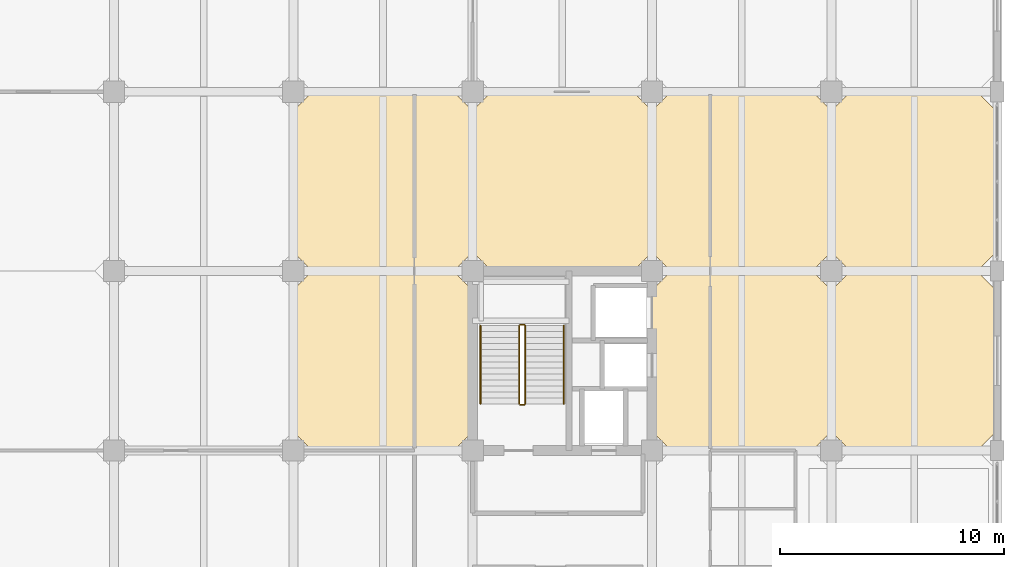
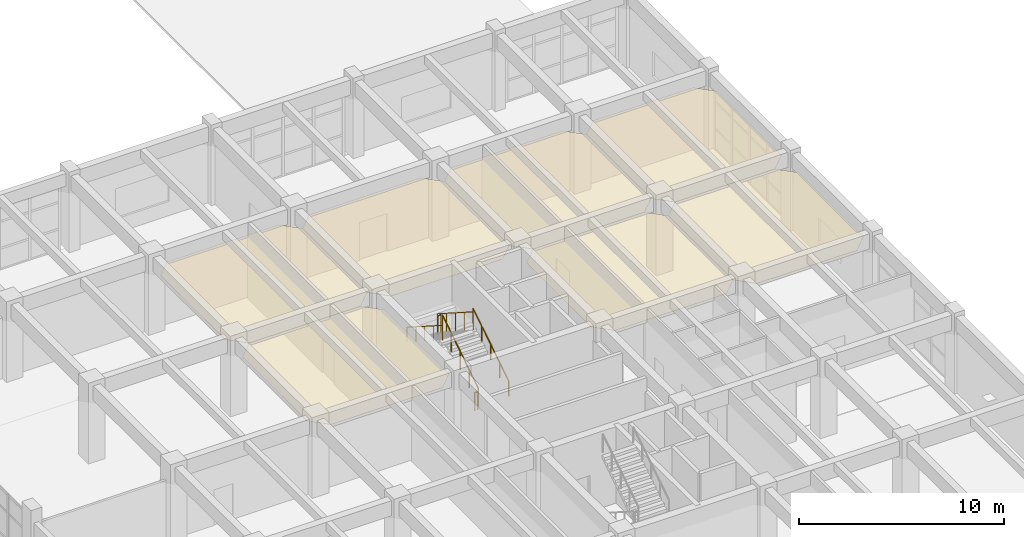
# One storey, part 62 of 63: 7 coverings, 6 railings.
"""IFC4 building model written with IfcOpenShell, lengths in metres."""

from ifc_helpers import new_model, si_unit, direction, frame, origin, origin_2d, place, context, subcontext, project, spatial, polyline, circle, outline, extrude, material, layer, layer_set, type_object, element, save


model = new_model("IFC4")

# Units and contexts
model_context = context("Model", 3, precision=1e-05, world=origin(), true_north=direction((0.0, 1.0)))
body_context = subcontext(model_context, "Body", "Model", "MODEL_VIEW")
ifc_project = project(units=[si_unit("LENGTHUNIT", "METRE"), si_unit("AREAUNIT", "SQUARE_METRE"), si_unit("VOLUMEUNIT", "CUBIC_METRE"), si_unit("PLANEANGLEUNIT", "RADIAN"), si_unit("MASSUNIT", "GRAM", prefix="KILO")], contexts=[model_context])

# Site, building, storey
site_placement = place(None, origin())
site = spatial("IfcSite", under=ifc_project, at=site_placement, CompositionType="ELEMENT")
building_placement = place(site_placement, origin())
building = spatial("IfcBuilding", under=site, at=building_placement, Name="Canggui Botanical Conservatory", CompositionType="ELEMENT")
storey_placement = place(building_placement, frame((0.0, 0.0, 10.199951171875)))
storey = spatial("IfcBuildingStorey", under=building, at=storey_placement, Name="L03", CompositionType="ELEMENT", Elevation=10.199951171875)

# Coverings
ifc_material_1 = material(Name="Mineral Fibre Acoustic Board")
ifc_layer_1 = layer(ifc_material_1, 0.014892578125, Name="Mineral Fibre Acoustic Board")
ifc_layer_set_1 = layer_set([ifc_layer_1], Name="Mineral Fibre Acoustic Board")
covering_type_1 = type_object("IfcCoveringType", Name="COV-CEIL-15", PredefinedType="CEILING", material=ifc_layer_set_1)
covering_1_placement = place(storey_placement, frame((0.0, 0.0, 3.635009765625)))
element("IfcCovering", 1, at=covering_1_placement, inside=storey, type_object=covering_type_1, Name="Suspended Acoustic Ceiling L03-146-58", PredefinedType="CEILING", context=body_context, shape_type="SweptSolid", body=[
    extrude(outline(polyline([(146.85009765625, 58.0), (153.14990234375, 58.0), (154.0, 58.85009765625), (154.0, 65.14990234375), (153.14990234375, 66.0), (146.85009765625, 66.0), (146.0, 65.14990234375), (146.0, 58.85009765625), (146.85009765625, 58.0)])), origin(), (0.0, 0.0, 1.0), 0.01513671875),
])
covering_2_placement = place(storey_placement, frame((0.0, 0.0, 3.635009765625)))
element("IfcCovering", 2, at=covering_2_placement, inside=storey, type_object=covering_type_1, Name="Suspended Acoustic Ceiling L03-154-66", PredefinedType="CEILING", context=body_context, shape_type="SweptSolid", body=[
    extrude(outline(polyline([(154.85009765625, 66.0), (161.14990234375, 66.0), (162.0, 66.85009765625), (162.0, 73.14990234375), (161.14990234375, 74.0), (154.85009765625, 74.0), (154.0, 73.14990234375), (154.0, 66.85009765625), (154.85009765625, 66.0)])), origin(), (0.0, 0.0, 1.0), 0.01513671875),
])
covering_3_placement = place(storey_placement, frame((0.0, 0.0, 3.635009765625)))
element("IfcCovering", 3, at=covering_3_placement, inside=storey, type_object=covering_type_1, Name="Suspended Acoustic Ceiling L03-162-58", PredefinedType="CEILING", context=body_context, shape_type="SweptSolid", body=[
    extrude(outline(polyline([(162.85009765625, 58.0), (169.14990234375, 58.0), (170.0, 58.85009765625), (170.0, 65.14990234375), (169.14990234375, 66.0), (162.85009765625, 66.0), (162.0, 65.14990234375), (162.0, 58.85009765625), (162.85009765625, 58.0)])), origin(), (0.0, 0.0, 1.0), 0.01513671875),
])
covering_4_placement = place(storey_placement, frame((0.0, 0.0, 3.635009765625)))
element("IfcCovering", 4, at=covering_4_placement, inside=storey, type_object=covering_type_1, Name="Suspended Acoustic Ceiling L03-170-66", PredefinedType="CEILING", context=body_context, shape_type="SweptSolid", body=[
    extrude(outline(polyline([(170.85009765625, 66.0), (176.5, 66.0), (177.35009765625, 66.85009765625), (177.35009765625, 73.14990234375), (176.5, 74.0), (170.85009765625, 74.0), (170.0, 73.14990234375), (170.0, 66.85009765625), (170.85009765625, 66.0)])), origin(), (0.0, 0.0, 1.0), 0.01513671875),
])
ifc_material_2 = material(Name="Perforated Gypsum Acoustic Panel")
ifc_layer_2 = layer(ifc_material_2, 0.02001953125, Name="Perforated Gypsum Acoustic Panel")
ifc_layer_set_2 = layer_set([ifc_layer_2], Name="Perforated Gypsum Acoustic Panel")
covering_type_2 = type_object("IfcCoveringType", Name="COV-CEIL-20", PredefinedType="CEILING", material=ifc_layer_set_2)
covering_5_placement = place(storey_placement, frame((0.0, 0.0, 3.630126953125)))
element("IfcCovering", 5, at=covering_5_placement, inside=storey, type_object=covering_type_2, Name="Suspended Acoustic Ceiling L03-146-66", PredefinedType="CEILING", context=body_context, shape_type="SweptSolid", body=[
    extrude(outline(polyline([(146.85009765625, 66.0), (153.14990234375, 66.0), (154.0, 66.85009765625), (154.0, 73.14990234375), (153.14990234375, 74.0), (146.85009765625, 74.0), (146.0, 73.14990234375), (146.0, 66.85009765625), (146.85009765625, 66.0)])), origin(), (0.0, 0.0, 1.0), 0.02001953125),
])
covering_6_placement = place(storey_placement, frame((0.0, 0.0, 3.630126953125)))
element("IfcCovering", 6, at=covering_6_placement, inside=storey, type_object=covering_type_2, Name="Suspended Acoustic Ceiling L03-162-66", PredefinedType="CEILING", context=body_context, shape_type="SweptSolid", body=[
    extrude(outline(polyline([(162.85009765625, 66.0), (169.14990234375, 66.0), (170.0, 66.85009765625), (170.0, 73.14990234375), (169.14990234375, 74.0), (162.85009765625, 74.0), (162.0, 73.14990234375), (162.0, 66.85009765625), (162.85009765625, 66.0)])), origin(), (0.0, 0.0, 1.0), 0.02001953125),
])
covering_7_placement = place(storey_placement, frame((0.0, 0.0, 3.630126953125)))
element("IfcCovering", 7, at=covering_7_placement, inside=storey, type_object=covering_type_2, Name="Suspended Acoustic Ceiling L03-170-58", PredefinedType="CEILING", context=body_context, shape_type="SweptSolid", body=[
    extrude(outline(polyline([(170.85009765625, 58.0), (176.5, 58.0), (177.35009765625, 58.85009765625), (177.35009765625, 65.14990234375), (176.5, 66.0), (170.85009765625, 66.0), (170.0, 65.14990234375), (170.0, 58.85009765625), (170.85009765625, 58.0)])), origin(), (0.0, 0.0, 1.0), 0.02001953125),
])

# Railings
ifc_material_3 = material(Name="Stainless Steel 304", Category="steel")
railing_type_1 = type_object("IfcRailingType", Name="RAIL-GUARD-1100", PredefinedType="BALUSTRADE", material=ifc_material_3)
railing_1_placement = place(storey_placement, frame((156.35009765625, 60.080078125, 0.17138671875)))
element("IfcRailing", 8, at=railing_1_placement, inside=storey, type_object=railing_type_1, Name="L03 ST-T2 stair guard 1", PredefinedType="BALUSTRADE", context=body_context, shape_type="SweptSolid", body=[
    extrude(circle(Radius=0.02392578125, at=origin_2d()), frame((0.0, 0.0, 1.076171875), z_axis=(0.0, 0.842373232634, 0.538894550856), x_axis=(-1.0, 0.0, 0.0)), (0.0, 0.0, 1.0), 4.1357421875),
    extrude(circle(Radius=0.02099609375, at=origin_2d()), origin(), (0.0, 0.0, 1.0), 1.052001953125),
    extrude(circle(Radius=0.02099609375, at=origin_2d()), frame((0.0, 0.87109375, 0.55712890625)), (0.0, 0.0, 1.0), 1.052001953125),
    extrude(circle(Radius=0.02099609375, at=origin_2d()), frame((0.0, 1.741943359375, 1.1142578125)), (0.0, 0.0, 1.0), 1.052001953125),
    extrude(circle(Radius=0.02099609375, at=origin_2d()), frame((0.0, 2.61279296875, 1.671630859375)), (0.0, 0.0, 1.0), 1.052001953125),
    extrude(circle(Radius=0.02099609375, at=origin_2d()), frame((0.0, 3.48388671875, 2.228759765625)), (0.0, 0.0, 1.0), 1.052001953125),
])
railing_2_placement = place(storey_placement, frame((156.300048828125, 63.614013671875, 2.400146484375)))
element("IfcRailing", 9, at=railing_2_placement, inside=storey, type_object=railing_type_1, Name="L03 ST-T2 stair guard 2", PredefinedType="BALUSTRADE", context=body_context, shape_type="SweptSolid", body=[
    extrude(circle(Radius=0.02392578125, at=origin_2d()), frame((0.0, 0.0, 1.076171875), z_axis=(-1.0, 0.0, 0.0), x_axis=(0.0, -1.0, 0.0)), (0.0, 0.0, 1.0), 0.179931640625),
    extrude(circle(Radius=0.02099609375, at=origin_2d()), origin(), (0.0, 0.0, 1.0), 1.052001953125),
    extrude(circle(Radius=0.02099609375, at=origin_2d()), frame((-0.179931640625, 0.0, 0.0)), (0.0, 0.0, 1.0), 1.052001953125),
])
railing_3_placement = place(storey_placement, frame((156.070068359375, 63.56396484375, 2.571533203125)))
element("IfcRailing", 10, at=railing_3_placement, inside=storey, type_object=railing_type_1, Name="L03 ST-T2 stair guard 3", PredefinedType="BALUSTRADE", context=body_context, shape_type="SweptSolid", body=[
    extrude(circle(Radius=0.02392578125, at=origin_2d()), frame((0.0, 0.0, 1.076171875), z_axis=(0.0, -0.842400029615, 0.53885266085), x_axis=(1.0, 0.0, 0.0)), (0.0, 0.0, 1.0), 4.1357421875),
    extrude(circle(Radius=0.02099609375, at=origin_2d()), origin(), (0.0, 0.0, 1.0), 1.052001953125),
    extrude(circle(Radius=0.02099609375, at=origin_2d()), frame((0.0, -0.87109375, 0.55712890625)), (0.0, 0.0, 1.0), 1.052001953125),
    extrude(circle(Radius=0.02099609375, at=origin_2d()), frame((0.0, -1.741943359375, 1.1142578125)), (0.0, 0.0, 1.0), 1.052001953125),
    extrude(circle(Radius=0.02099609375, at=origin_2d()), frame((0.0, -2.61279296875, 1.67138671875)), (0.0, 0.0, 1.0), 1.052001953125),
    extrude(circle(Radius=0.02099609375, at=origin_2d()), frame((0.0, -3.48388671875, 2.228515625)), (0.0, 0.0, 1.0), 1.052001953125),
])
railing_4_placement = place(storey_placement, frame((156.300048828125, 60.030029296875, 0.0)))
element("IfcRailing", 11, at=railing_4_placement, inside=storey, type_object=railing_type_1, Name="L03 ST-T2 stair guard 4", PredefinedType="BALUSTRADE", context=body_context, shape_type="SweptSolid", body=[
    extrude(circle(Radius=0.02392578125, at=origin_2d()), frame((0.0, 0.0, 1.076171875), z_axis=(-1.0, 0.0, 0.0), x_axis=(0.0, -1.0, 0.0)), (0.0, 0.0, 1.0), 0.179931640625),
    extrude(circle(Radius=0.02099609375, at=origin_2d()), origin(), (0.0, 0.0, 1.0), 1.052001953125),
    extrude(circle(Radius=0.02099609375, at=origin_2d()), frame((-0.179931640625, 0.0, 0.0)), (0.0, 0.0, 1.0), 1.052001953125),
])
railing_type_2 = type_object("IfcRailingType", Name="RAIL-HAND-900", PredefinedType="HANDRAIL", material=ifc_material_3)
railing_5_placement = place(storey_placement, frame((158.070068359375, 60.080078125, 0.17138671875)))
element("IfcRailing", 12, at=railing_5_placement, inside=storey, type_object=railing_type_2, Name="L03 ST-T2 stair handrail 1", PredefinedType="HANDRAIL", context=body_context, shape_type="SweptSolid", body=[
    extrude(circle(Radius=0.02392578125, at=origin_2d()), frame((0.0, 0.0, 0.8759765625), z_axis=(0.0, 0.842373232634, 0.538894550856), x_axis=(-1.0, 0.0, 0.0)), (0.0, 0.0, 1.0), 4.1357421875),
    extrude(circle(Radius=0.02099609375, at=origin_2d()), origin(), (0.0, 0.0, 1.0), 0.851806640625),
    extrude(circle(Radius=0.02099609375, at=origin_2d()), frame((0.0, 0.87109375, 0.55712890625)), (0.0, 0.0, 1.0), 0.851806640625),
    extrude(circle(Radius=0.02099609375, at=origin_2d()), frame((0.0, 1.741943359375, 1.1142578125)), (0.0, 0.0, 1.0), 0.851806640625),
    extrude(circle(Radius=0.02099609375, at=origin_2d()), frame((0.0, 2.61279296875, 1.671630859375)), (0.0, 0.0, 1.0), 0.851806640625),
    extrude(circle(Radius=0.02099609375, at=origin_2d()), frame((0.0, 3.48388671875, 2.228759765625)), (0.0, 0.0, 1.0), 0.851806640625),
])
railing_6_placement = place(storey_placement, frame((154.35009765625, 63.56396484375, 2.571533203125)))
element("IfcRailing", 13, at=railing_6_placement, inside=storey, type_object=railing_type_2, Name="L03 ST-T2 stair handrail 2", PredefinedType="HANDRAIL", context=body_context, shape_type="SweptSolid", body=[
    extrude(circle(Radius=0.02392578125, at=origin_2d()), frame((0.0, 0.0, 0.8759765625), z_axis=(0.0, -0.842400029615, 0.53885266085), x_axis=(1.0, 0.0, 0.0)), (0.0, 0.0, 1.0), 4.1357421875),
    extrude(circle(Radius=0.02099609375, at=origin_2d()), origin(), (0.0, 0.0, 1.0), 0.851806640625),
    extrude(circle(Radius=0.02099609375, at=origin_2d()), frame((0.0, -0.87109375, 0.55712890625)), (0.0, 0.0, 1.0), 0.851806640625),
    extrude(circle(Radius=0.02099609375, at=origin_2d()), frame((0.0, -1.741943359375, 1.1142578125)), (0.0, 0.0, 1.0), 0.851806640625),
    extrude(circle(Radius=0.02099609375, at=origin_2d()), frame((0.0, -2.61279296875, 1.67138671875)), (0.0, 0.0, 1.0), 0.851806640625),
    extrude(circle(Radius=0.02099609375, at=origin_2d()), frame((0.0, -3.48388671875, 2.228515625)), (0.0, 0.0, 1.0), 0.851806640625),
])

save(model, "model.ifc")
